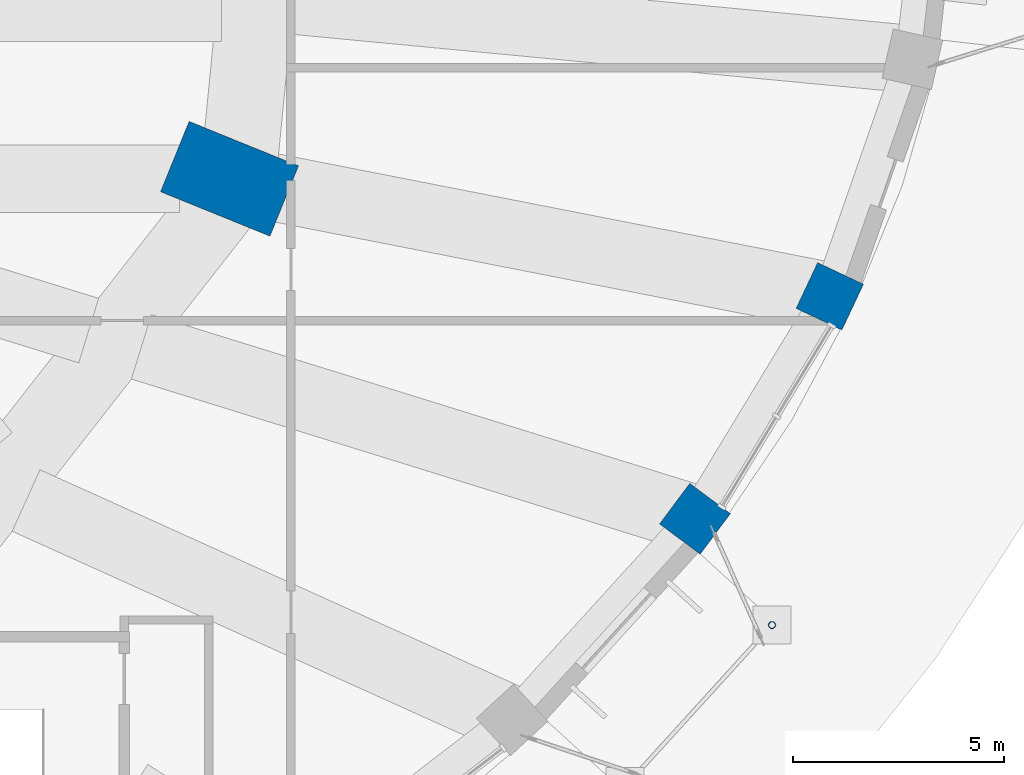
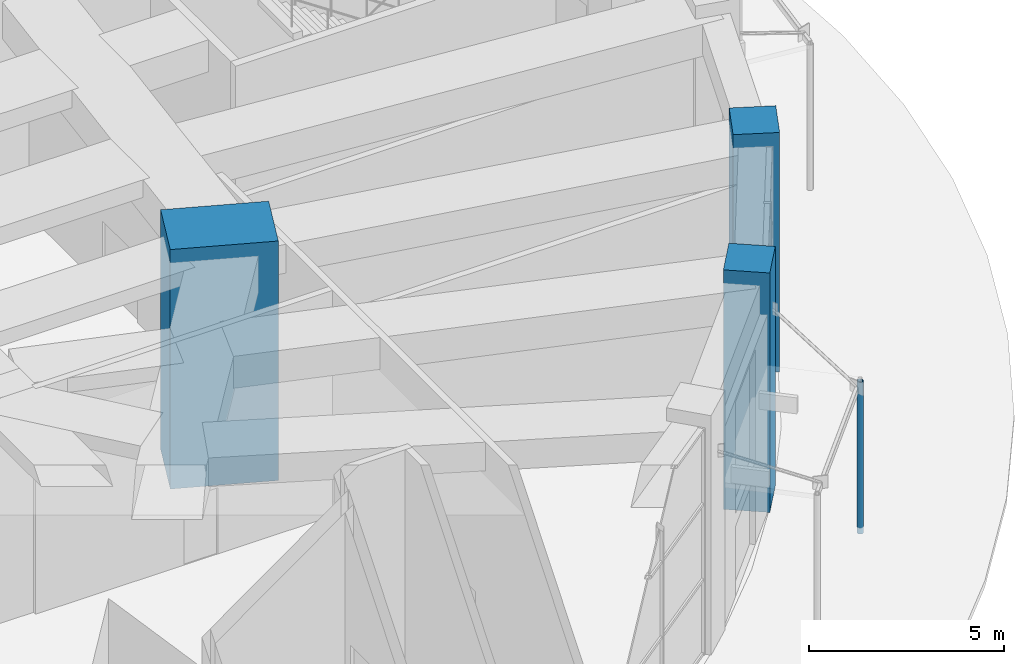
# One storey, part 12 of 60: 4 columns.
"""IFC4 building model written with IfcOpenShell, lengths in metres."""

from ifc_helpers import new_model, si_unit, direction, frame, origin, origin_2d, place, context, subcontext, project, spatial, rectangle, hollow_circle, extrude, material, material_profile, profile_set, type_object, element, save


model = new_model("IFC4")

# Units and contexts
model_context = context("Model", 3, precision=1e-05, world=origin(), true_north=direction((0.0, 1.0)))
body_context = subcontext(model_context, "Body", "Model", "MODEL_VIEW")
ifc_project = project(units=[si_unit("LENGTHUNIT", "METRE"), si_unit("AREAUNIT", "SQUARE_METRE"), si_unit("VOLUMEUNIT", "CUBIC_METRE"), si_unit("PLANEANGLEUNIT", "RADIAN"), si_unit("MASSUNIT", "GRAM", prefix="KILO")], contexts=[model_context])

# Site, building, storey
site_placement = place(None, origin())
site = spatial("IfcSite", under=ifc_project, at=site_placement, CompositionType="ELEMENT")
building_placement = place(site_placement, origin())
building = spatial("IfcBuilding", under=site, at=building_placement, Name="Taillehof Tower", CompositionType="ELEMENT")
storey_placement = place(building_placement, origin())
storey = spatial("IfcBuildingStorey", under=building, at=storey_placement, Name="L00", CompositionType="ELEMENT", Elevation=0.0)

# Columns
ifc_material_1 = material(Name="Steel S460M", Category="steel")
ifc_material_profile_1 = material_profile(ifc_material_1, hollow_circle(Radius=0.084228515625, WallThickness=0.008056640625, at=origin_2d()), Name="CHS 168.3x8")
ifc_profile_set_1 = profile_set([ifc_material_profile_1], Name="Steel S460M")
column_type_1 = type_object("IfcColumnType", Name="Canopy post CHS 168.3x8", PredefinedType="COLUMN", material=ifc_profile_set_1)
column_1_placement = place(storey_placement, frame((39.413330078125, -19.220458984375, -0.199951171875), z_axis=(0.0, 0.0, 1.0), x_axis=(1.0, 0.0, 0.0)))
element("IfcColumn", 1, at=column_1_placement, inside=storey, type_object=column_type_1, Name="Canopy post E13", PredefinedType="COLUMN", context=body_context, shape_type="SweptSolid", body=[
    extrude(hollow_circle(Radius=0.084228515625, WallThickness=0.008056640625, at=origin_2d()), origin(), (0.0, 0.0, 1.0), 4.7548828125),
])
ifc_material_2 = material(Name="Concrete C80/95", Category="concrete")
ifc_material_profile_2 = material_profile(ifc_material_2, rectangle(XDim=2.800048828125, YDim=1.800048828125, at=origin_2d()), Name="RC 2800x1800")
ifc_profile_set_2 = profile_set([ifc_material_profile_2], Name="Concrete C80/95")
column_type_2 = type_object("IfcColumnType", Name="Mega column C80/95 2800x1800", PredefinedType="COLUMN", material=ifc_profile_set_2)
column_2_placement = place(storey_placement, frame((26.54638671875, -8.635986328125, 0.0), z_axis=(0.0, 0.0, 1.0), x_axis=(0.926558045297, -0.37615181602, 0.0)))
element("IfcColumn", 2, at=column_2_placement, inside=storey, type_object=column_type_2, Name="Mega column MG12", PredefinedType="COLUMN", context=body_context, shape_type="SweptSolid", body=[
    extrude(rectangle(XDim=2.800048828125, YDim=1.800048828125, at=origin_2d()), origin(), (0.0, 0.0, 1.0), 7.5),
])
ifc_material_3 = material(Name="Concrete C60/75", Category="concrete")
ifc_material_profile_3 = material_profile(ifc_material_3, rectangle(XDim=1.199951171875, YDim=1.199951171875, at=origin_2d()), Name="RC 1200x1200")
ifc_profile_set_3 = profile_set([ifc_material_profile_3], Name="Concrete C60/75")
column_type_3 = type_object("IfcColumnType", Name="Podium column C60/75 1200x1200", PredefinedType="COLUMN", material=ifc_profile_set_3)
for number, where, z_axis, x_axis, name in (
    (3, (37.58544921875, -16.699951171875, 0.0), (0.0, 0.0, 1.0), (0.80109108527, -0.598542457225, 0.0), "Podium column PC34"),
    (4, (40.78271484375, -11.423583984375, 0.0), (0.0, 0.0, 1.0), (0.904668034967, -0.426117057284, 0.0), "Podium column PC35"),
):
    element("IfcColumn", number, at=place(storey_placement, frame(where, z_axis=z_axis, x_axis=x_axis)), inside=storey, type_object=column_type_3, Name=name, PredefinedType="COLUMN", context=body_context, shape_type="SweptSolid", body=[
        extrude(rectangle(XDim=1.199951171875, YDim=1.199951171875, at=origin_2d()), origin(), (0.0, 0.0, 1.0), 7.5),
    ])

save(model, "model.ifc")
